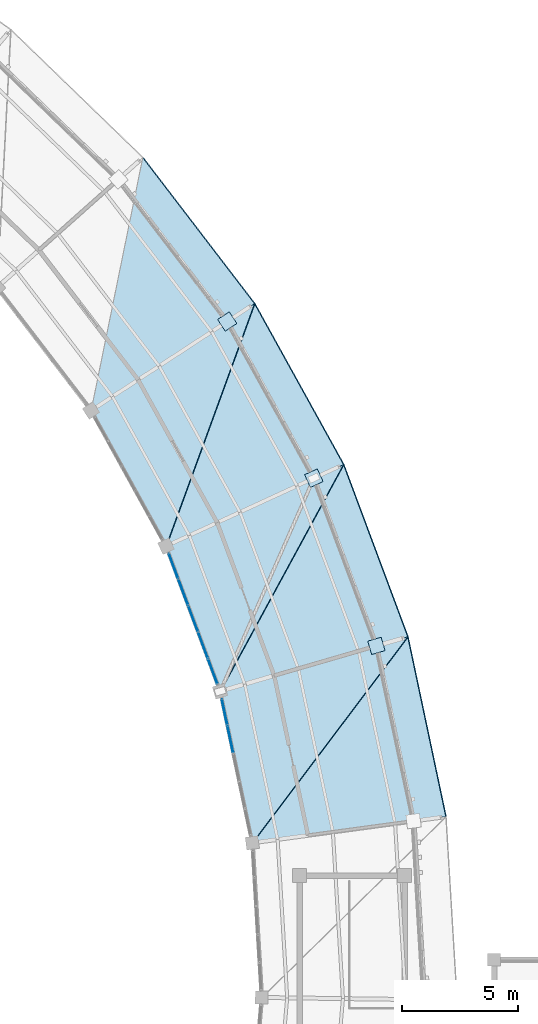
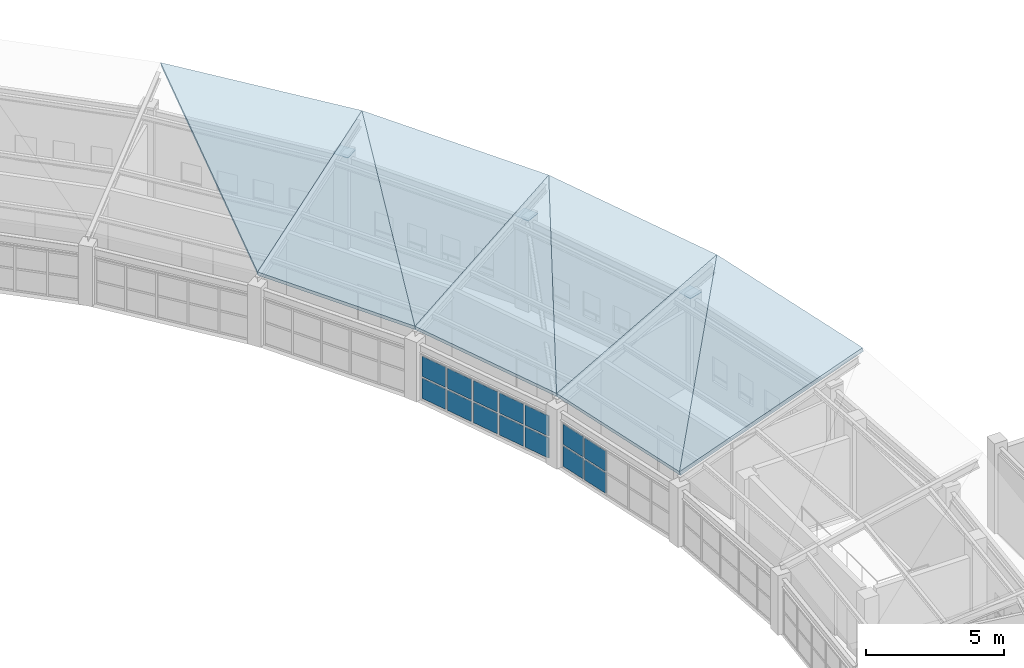
# One storey, part 111 of 149: 17 plates, 7 slabs, 2 elements without a shape of their own.
"""IFC4 building model written with IfcOpenShell, lengths in metres."""

from ifc_helpers import new_model, si_unit, direction, frame, origin, origin_2d, place, context, subcontext, project, spatial, polyline, rectangle, outline, extrude, material, layer, layer_set, type_object, element, aggregate, save


model = new_model("IFC4")

# Units and contexts
model_context = context("Model", 3, precision=1e-05, world=origin(), true_north=direction((0.0, 1.0)))
body_context = subcontext(model_context, "Body", "Model", "MODEL_VIEW")
ifc_project = project(units=[si_unit("LENGTHUNIT", "METRE"), si_unit("AREAUNIT", "SQUARE_METRE"), si_unit("VOLUMEUNIT", "CUBIC_METRE"), si_unit("PLANEANGLEUNIT", "RADIAN"), si_unit("MASSUNIT", "GRAM", prefix="KILO")], contexts=[model_context])

# Site, building, storey
site_placement = place(None, origin())
site = spatial("IfcSite", under=ifc_project, at=site_placement, CompositionType="ELEMENT")
building_placement = place(site_placement, origin())
building = spatial("IfcBuilding", under=site, at=building_placement, Name="Celadon Cloister-Ring School", CompositionType="ELEMENT")
storey_placement = place(building_placement, frame((0.0, 0.0, 12.5)))
storey = spatial("IfcBuildingStorey", under=building, at=storey_placement, Name="L03", CompositionType="ELEMENT", Elevation=12.5)

# Curtain wall, plates
ifc_material_1 = material(Name="Aluminium EN AW-6063 T6", Category="aluminium")
curtain_wall_type = type_object("IfcCurtainWallType", Name="CW-02", PredefinedType="USERDEFINED", material=ifc_material_1)
curtain_wall_1_placement = place(storey_placement, origin())
curtain_wall_1 = element("IfcCurtainWall", 1, at=curtain_wall_1_placement, inside=storey, type_object=curtain_wall_type, Name="Curtain Wall 0073", ObjectType="CURTAIN WALL", PredefinedType="USERDEFINED")
ifc_material_2 = material(Name="Tempered laminated insulating glass", Category="glass")
ifc_layer_1 = layer(ifc_material_2, 0.035888671875)
ifc_layer_set_1 = layer_set([ifc_layer_1], Name="Tempered laminated insulating glass")
plate_type_1 = type_object("IfcPlateType", Name="CPN-03", PredefinedType="CURTAIN_PANEL", material=ifc_layer_set_1)
plate_1_placement = place(storey_placement, frame((130.650390625, 69.489013671875, 0.074951171875), z_axis=(0.0, 0.0, 1.0), x_axis=(-0.207058016061, 0.978328665626, 0.0)))
plate_1 = element("IfcPlate", 2, at=plate_1_placement, type_object=plate_type_1, Name="CW-02 panel 4.1", PredefinedType="CURTAIN_PANEL", context=body_context, shape_type="SweptSolid", body=[
    extrude(rectangle(XDim=1.141845703125, YDim=0.035888671875, at=origin_2d()), origin(), (0.0, 0.0, 1.0), 0.8974609375),
])
plate_2_placement = place(storey_placement, frame((130.650390625, 69.489013671875, 1.047607421875), z_axis=(0.0, 0.0, 1.0), x_axis=(-0.207058016061, 0.978328665626, 0.0)))
plate_2 = element("IfcPlate", 3, at=plate_2_placement, type_object=plate_type_1, Name="CW-02 panel 4.2", PredefinedType="CURTAIN_PANEL", context=body_context, shape_type="SweptSolid", body=[
    extrude(rectangle(XDim=1.141845703125, YDim=0.035888671875, at=origin_2d()), origin(), (0.0, 0.0, 1.0), 0.8974609375),
])
plate_3_placement = place(storey_placement, frame((130.401611328125, 70.664794921875, 0.074951171875), z_axis=(0.0, 0.0, 1.0), x_axis=(-0.207058016061, 0.978328665626, 0.0)))
plate_3 = element("IfcPlate", 4, at=plate_3_placement, type_object=plate_type_1, Name="CW-02 panel 5.1", PredefinedType="CURTAIN_PANEL", context=body_context, shape_type="SweptSolid", body=[
    extrude(rectangle(XDim=1.101806640625, YDim=0.035888671875, at=origin_2d()), origin(), (0.0, 0.0, 1.0), 0.8974609375),
])
plate_4_placement = place(storey_placement, frame((130.401611328125, 70.664794921875, 1.047607421875), z_axis=(0.0, 0.0, 1.0), x_axis=(-0.207058016061, 0.978328665626, 0.0)))
plate_4 = element("IfcPlate", 5, at=plate_4_placement, type_object=plate_type_1, Name="CW-02 panel 5.2", PredefinedType="CURTAIN_PANEL", context=body_context, shape_type="SweptSolid", body=[
    extrude(rectangle(XDim=1.101806640625, YDim=0.035888671875, at=origin_2d()), origin(), (0.0, 0.0, 1.0), 0.8974609375),
])
aggregate(curtain_wall_1, [plate_1, plate_2, plate_3, plate_4])

curtain_wall_2_placement = place(storey_placement, origin())
curtain_wall_2 = element("IfcCurtainWall", 6, at=curtain_wall_2_placement, inside=storey, type_object=curtain_wall_type, Name="Curtain Wall 0074", ObjectType="CURTAIN WALL", PredefinedType="USERDEFINED")
plate_5_placement = place(storey_placement, frame((129.8955078125, 72.4072265625, 0.074951171875), z_axis=(0.0, 0.0, 1.0), x_axis=(-0.349472568576, 0.93694659603, 0.0)))
plate_5 = element("IfcPlate", 7, at=plate_5_placement, type_object=plate_type_1, Name="CW-02 panel 1.1", PredefinedType="CURTAIN_PANEL", context=body_context, shape_type="SweptSolid", body=[
    extrude(rectangle(XDim=1.101806640625, YDim=0.035888671875, at=origin_2d()), origin(), (0.0, 0.0, 1.0), 0.8974609375),
])
plate_6_placement = place(storey_placement, frame((129.8955078125, 72.4072265625, 1.047607421875), z_axis=(0.0, 0.0, 1.0), x_axis=(-0.349472568576, 0.93694659603, 0.0)))
plate_6 = element("IfcPlate", 8, at=plate_6_placement, type_object=plate_type_1, Name="CW-02 panel 1.2", PredefinedType="CURTAIN_PANEL", context=body_context, shape_type="SweptSolid", body=[
    extrude(rectangle(XDim=1.101806640625, YDim=0.035888671875, at=origin_2d()), origin(), (0.0, 0.0, 1.0), 0.8974609375),
])
plate_7_placement = place(storey_placement, frame((129.4755859375, 73.533203125, 0.074951171875), z_axis=(0.0, 0.0, 1.0), x_axis=(-0.349472568576, 0.93694659603, 0.0)))
plate_7 = element("IfcPlate", 9, at=plate_7_placement, type_object=plate_type_1, Name="CW-02 panel 2.1", PredefinedType="CURTAIN_PANEL", context=body_context, shape_type="SweptSolid", body=[
    extrude(rectangle(XDim=1.141845703125, YDim=0.035888671875, at=origin_2d()), origin(), (0.0, 0.0, 1.0), 0.8974609375),
])
plate_8_placement = place(storey_placement, frame((129.4755859375, 73.533203125, 1.047607421875), z_axis=(0.0, 0.0, 1.0), x_axis=(-0.349472568576, 0.93694659603, 0.0)))
plate_8 = element("IfcPlate", 10, at=plate_8_placement, type_object=plate_type_1, Name="CW-02 panel 2.2", PredefinedType="CURTAIN_PANEL", context=body_context, shape_type="SweptSolid", body=[
    extrude(rectangle(XDim=1.141845703125, YDim=0.035888671875, at=origin_2d()), origin(), (0.0, 0.0, 1.0), 0.8974609375),
])
plate_9_placement = place(storey_placement, frame((129.048583984375, 74.677978515625, 0.074951171875), z_axis=(0.0, 0.0, 1.0), x_axis=(-0.349472568576, 0.93694659603, 0.0)))
plate_9 = element("IfcPlate", 11, at=plate_9_placement, type_object=plate_type_1, Name="CW-02 panel 3.1", PredefinedType="CURTAIN_PANEL", context=body_context, shape_type="SweptSolid", body=[
    extrude(rectangle(XDim=1.141845703125, YDim=0.035888671875, at=origin_2d()), origin(), (0.0, 0.0, 1.0), 0.8974609375),
])
plate_10_placement = place(storey_placement, frame((129.048583984375, 74.677978515625, 1.047607421875), z_axis=(0.0, 0.0, 1.0), x_axis=(-0.349472568576, 0.93694659603, 0.0)))
plate_10 = element("IfcPlate", 12, at=plate_10_placement, type_object=plate_type_1, Name="CW-02 panel 3.2", PredefinedType="CURTAIN_PANEL", context=body_context, shape_type="SweptSolid", body=[
    extrude(rectangle(XDim=1.141845703125, YDim=0.035888671875, at=origin_2d()), origin(), (0.0, 0.0, 1.0), 0.8974609375),
])
plate_11_placement = place(storey_placement, frame((128.62158203125, 75.82275390625, 0.074951171875), z_axis=(0.0, 0.0, 1.0), x_axis=(-0.349472568576, 0.93694659603, 0.0)))
plate_11 = element("IfcPlate", 13, at=plate_11_placement, type_object=plate_type_1, Name="CW-02 panel 4.1", PredefinedType="CURTAIN_PANEL", context=body_context, shape_type="SweptSolid", body=[
    extrude(rectangle(XDim=1.141845703125, YDim=0.035888671875, at=origin_2d()), origin(), (0.0, 0.0, 1.0), 0.8974609375),
])
plate_12_placement = place(storey_placement, frame((128.62158203125, 75.82275390625, 1.047607421875), z_axis=(0.0, 0.0, 1.0), x_axis=(-0.349472568576, 0.93694659603, 0.0)))
plate_12 = element("IfcPlate", 14, at=plate_12_placement, type_object=plate_type_1, Name="CW-02 panel 4.2", PredefinedType="CURTAIN_PANEL", context=body_context, shape_type="SweptSolid", body=[
    extrude(rectangle(XDim=1.141845703125, YDim=0.035888671875, at=origin_2d()), origin(), (0.0, 0.0, 1.0), 0.8974609375),
])
plate_13_placement = place(storey_placement, frame((128.201416015625, 76.948974609375, 0.074951171875), z_axis=(0.0, 0.0, 1.0), x_axis=(-0.349472568576, 0.93694659603, 0.0)))
plate_13 = element("IfcPlate", 15, at=plate_13_placement, type_object=plate_type_1, Name="CW-02 panel 5.1", PredefinedType="CURTAIN_PANEL", context=body_context, shape_type="SweptSolid", body=[
    extrude(rectangle(XDim=1.101806640625, YDim=0.035888671875, at=origin_2d()), origin(), (0.0, 0.0, 1.0), 0.8974609375),
])
plate_14_placement = place(storey_placement, frame((128.201416015625, 76.948974609375, 1.047607421875), z_axis=(0.0, 0.0, 1.0), x_axis=(-0.349472568576, 0.93694659603, 0.0)))
plate_14 = element("IfcPlate", 16, at=plate_14_placement, type_object=plate_type_1, Name="CW-02 panel 5.2", PredefinedType="CURTAIN_PANEL", context=body_context, shape_type="SweptSolid", body=[
    extrude(rectangle(XDim=1.101806640625, YDim=0.035888671875, at=origin_2d()), origin(), (0.0, 0.0, 1.0), 0.8974609375),
])
aggregate(curtain_wall_2, [plate_5, plate_6, plate_7, plate_8, plate_9, plate_10, plate_11, plate_12, plate_13, plate_14])

# Plates
ifc_material_3 = material(Name="Structural steel S355JR", Category="steel")
ifc_layer_2 = layer(ifc_material_3, 0.02001953125)
ifc_layer_set_2 = layer_set([ifc_layer_2], Name="Structural steel S355JR")
plate_type_2 = type_object("IfcPlateType", Name="PT-01", PredefinedType="SHEET", material=ifc_layer_set_2)
for number, where, z_axis, x_axis, name in (
    (17, (136.93505859375, 73.508056640625, 4.0390625), (0.0, 0.0, 1.0), (0.960293685677, 0.278991106039, 0.0), "Gusset Plate 0033"),
    (18, (134.243896484375, 80.72607421875, 4.041015625), (0.0, 0.0, 1.0), (0.908537347938, 0.417803646947, 0.0), "Gusset Plate 0034"),
    (19, (130.51611328125, 87.467041015625, 4.041015625), (0.0, 0.0, 1.0), (0.836840759551, 0.547446383817, 0.0), "Gusset Plate 0035"),
):
    element("IfcPlate", number, at=place(storey_placement, frame(where, z_axis=z_axis, x_axis=x_axis)), inside=storey, type_object=plate_type_2, Name=name, PredefinedType="SHEET", context=body_context, shape_type="SweptSolid", body=[
        extrude(rectangle(XDim=0.60009765625, YDim=0.60009765625, at=origin_2d()), origin(), (0.0, 0.0, 1.0), 0.02001953125),
    ])

# Slabs
ifc_material_4 = material(Name="Concrete C35/45", Category="concrete")
ifc_layer_3 = layer(ifc_material_4, 0.179931640625)
ifc_layer_set_3 = layer_set([ifc_layer_3], Name="Concrete C35/45")
slab_type = type_object("IfcSlabType", Name="SL-RF1", PredefinedType="ROOF", material=ifc_layer_set_3)
slab_1_placement = place(storey_placement, frame((131.593994140625, 65.031982421875, 3.10009765625), z_axis=(-0.216390951969, -0.045798507737, 0.97523199937), x_axis=(0.966544515745, 0.130857002044, 0.220608576669)))
element("IfcSlab", 20, at=slab_1_placement, inside=storey, type_object=slab_type, Name="Conical Upper Roof Inner Tri 0119", PredefinedType="ROOF", context=body_context, shape_type="SweptSolid", body=[
    extrude(outline(polyline([(0.0, 0.0), (8.612096467135844, 4.5102810375396984e-17), (8.041659199472186, 7.889852951052512), (0.0, 0.0)])), origin(), (0.0, 0.0, -1.0), 0.179931640625),
])
slab_2_placement = place(storey_placement, frame((131.593994140625, 65.031982421875, 3.10009765625), z_axis=(-0.216373117291, -0.045812662793, 0.975235291631), x_axis=(0.593481163484, 0.786981247788, 0.168643482591)))
element("IfcSlab", 21, at=slab_2_placement, inside=storey, type_object=slab_type, Name="Conical Upper Roof Outer Tri 0120", PredefinedType="ROOF", context=body_context, shape_type="SweptSolid", body=[
    extrude(outline(polyline([(0.0, 0.0), (11.2657916841067, 0.0), (4.313779794083199, 5.084055204206826), (0.0, 0.0)])), origin(), (0.0, 0.0, -1.0), 0.179931640625),
])
slab_3_placement = place(storey_placement, frame((130.212890625, 71.554931640625, 3.10009765625), z_axis=(-0.207237369598, -0.077266969478, 0.975234581047), x_axis=(0.936659428164, 0.272043111464, 0.220593882818)))
element("IfcSlab", 22, at=slab_3_placement, inside=storey, type_object=slab_type, Name="Conical Upper Roof Inner Tri 0123", PredefinedType="ROOF", context=body_context, shape_type="SweptSolid", body=[
    extrude(outline(polyline([(0.0, 0.0), (8.612670122467865, -6.279698983036042e-16), (8.040501091763446, 7.890861642336112), (0.0, 0.0)])), origin(), (0.0, 0.0, -1.0), 0.179931640625),
])
slab_4_placement = place(storey_placement, frame((130.212890625, 71.554931640625, 3.10009765625), z_axis=(-0.207235758153, -0.077267897789, 0.975234849928), x_axis=(0.47074181393, 0.866002837052, 0.168645281098)))
element("IfcSlab", 23, at=slab_4_placement, inside=storey, type_object=slab_type, Name="Conical Upper Roof Outer Tri 0124", PredefinedType="ROOF", context=body_context, shape_type="SweptSolid", body=[
    extrude(outline(polyline([(0.0, 0.0), (11.26567154079776, 1.1102230246251565e-16), (4.312844340834943, 5.082975281952428), (0.0, 0.0)])), origin(), (0.0, 0.0, -1.0), 0.179931640625),
])
slab_5_placement = place(storey_placement, frame((127.884033203125, 77.801025390625, 3.10009765625), z_axis=(-0.193539498097, -0.10704871943, 0.975234861121), x_axis=(0.88614350675, 0.407539272466, 0.220593351765)))
element("IfcSlab", 24, at=slab_5_placement, inside=storey, type_object=slab_type, Name="Conical Upper Roof Inner Tri 0127", PredefinedType="ROOF", context=body_context, shape_type="SweptSolid", body=[
    extrude(outline(polyline([(0.0, 0.0), (8.612690856490909, -5.655198531684391e-16), (8.040891259363287, 7.890560040521416), (0.0, 0.0)])), origin(), (0.0, 0.0, -1.0), 0.179931640625),
])
slab_6_placement = place(storey_placement, frame((127.884033203125, 77.801025390625, 3.10009765625), z_axis=(-0.193566279327, -0.107038199491, 0.975230700582), x_axis=(0.337570273357, 0.926069878114, 0.168644274717)))
element("IfcSlab", 25, at=slab_6_placement, inside=storey, type_object=slab_type, Name="Conical Upper Roof Outer Tri 0128", PredefinedType="ROOF", context=body_context, shape_type="SweptSolid", body=[
    extrude(outline(polyline([(0.0, 0.0), (11.265738768406544, 1.6653345369377348e-16), (4.313650443181602, 5.0828484540331065), (0.0, 0.0)])), origin(), (0.0, 0.0, -1.0), 0.179931640625),
])
slab_7_placement = place(storey_placement, frame((124.657958984375, 83.635009765625, 3.10009765625), z_axis=(-0.175621634509, -0.134465540349, 0.975231285363), x_axis=(0.816190988071, 0.534006795259, 0.220610547364)))
element("IfcSlab", 26, at=slab_7_placement, inside=storey, type_object=slab_type, Name="Conical Upper Roof Inner Tri 0131", PredefinedType="ROOF", context=body_context, shape_type="SweptSolid", body=[
    extrude(outline(polyline([(0.0, 0.0), (8.612019535997101, -9.575673587391975e-16), (8.040989931162448, 7.890008224279431), (0.0, 0.0)])), origin(), (0.0, 0.0, -1.0), 0.179931640625),
])

save(model, "model.ifc")
